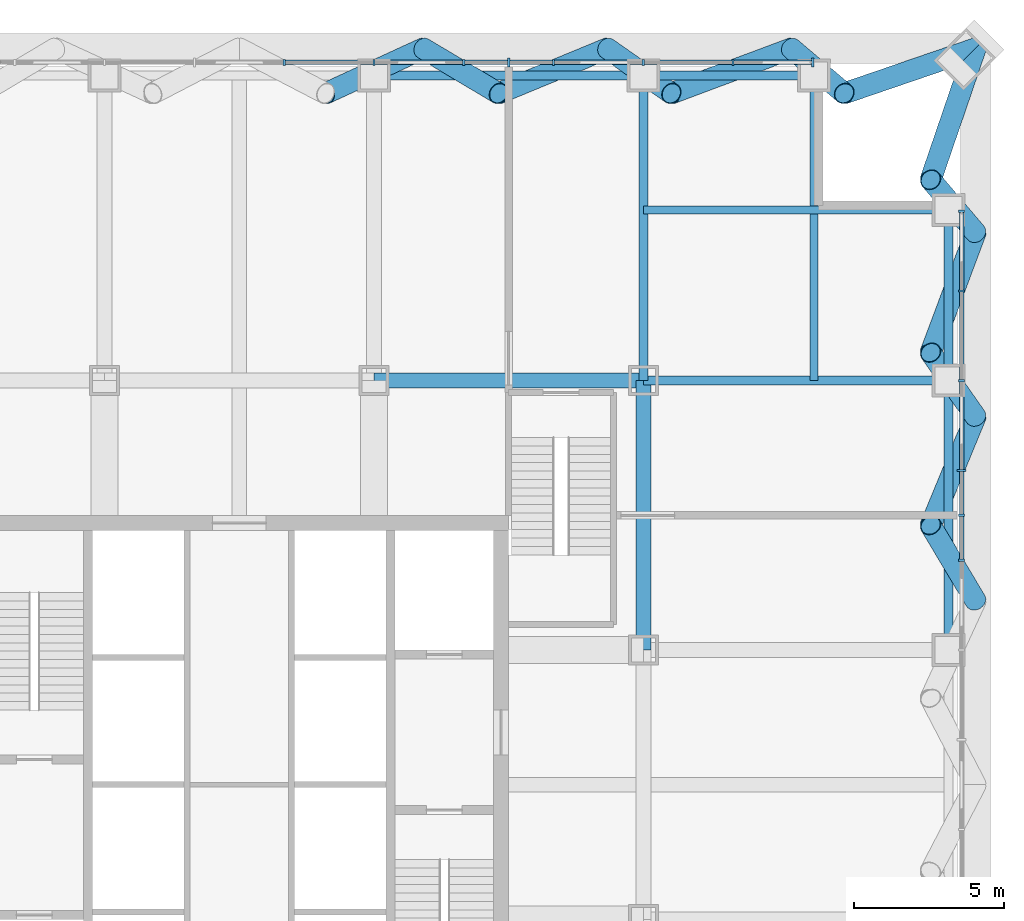
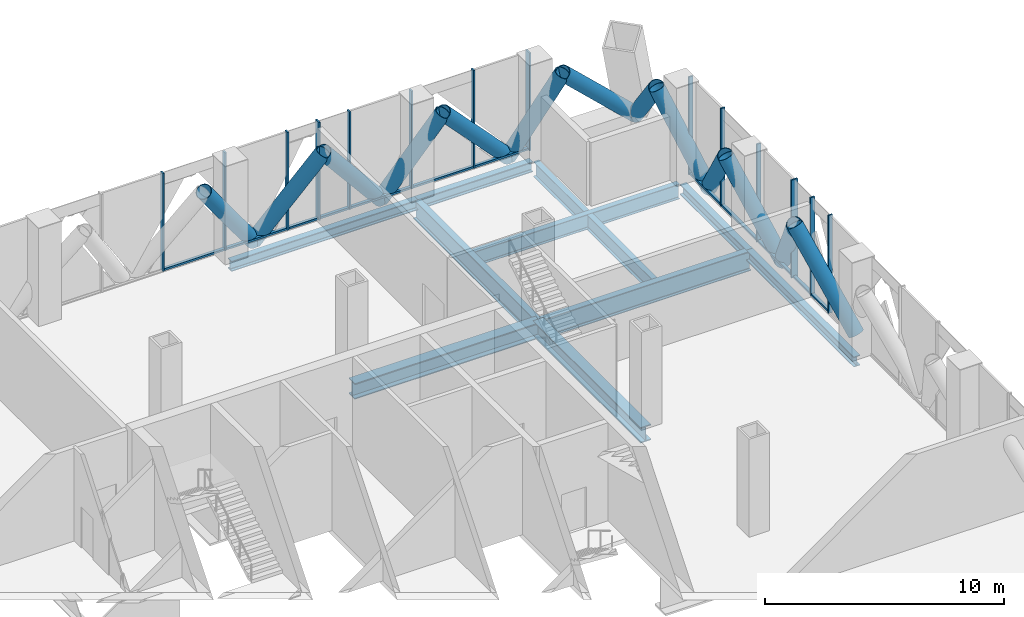
# One storey, part 12 of 29: 39 members, 10 beams, 2 elements without a shape of their own.
"""IFC4 building model written with IfcOpenShell, lengths in metres."""

from ifc_helpers import new_model, si_unit, direction, frame, origin, origin_2d, place, context, subcontext, project, spatial, rectangle, hollow_circle, i_section, extrude, material, layer, layer_set, material_profile, profile_set, type_object, element, aggregate, save


model = new_model("IFC4")

# Units and contexts
model_context = context("Model", 3, precision=1e-05, world=origin(), true_north=direction((0.0, 1.0)))
body_context = subcontext(model_context, "Body", "Model", "MODEL_VIEW")
ifc_project = project(units=[si_unit("LENGTHUNIT", "METRE"), si_unit("AREAUNIT", "SQUARE_METRE"), si_unit("VOLUMEUNIT", "CUBIC_METRE"), si_unit("PLANEANGLEUNIT", "RADIAN"), si_unit("MASSUNIT", "GRAM", prefix="KILO")], contexts=[model_context])

# Site, building, storey
site_placement = place(None, origin())
site = spatial("IfcSite", under=ifc_project, at=site_placement, CompositionType="ELEMENT")
building_placement = place(site_placement, origin())
building = spatial("IfcBuilding", under=site, at=building_placement, Name="Malebo Sky Hospital", CompositionType="ELEMENT")
storey_placement = place(building_placement, frame((0.0, 0.0, 172.0)))
storey = spatial("IfcBuildingStorey", under=building, at=storey_placement, Name="L41", CompositionType="ELEMENT", Elevation=172.0)

# Curtain wall, members
ifc_material_1 = material(Name="Anodised aluminium, natural silver", Category="aluminium")
ifc_layer = layer(ifc_material_1, 0.25)
ifc_layer_set = layer_set([ifc_layer], Name="PLANT LOUVRE SCREEN")
curtain_wall_type = type_object("IfcCurtainWallType", Name="PLANT LOUVRE SCREEN", PredefinedType="NOTDEFINED", material=ifc_layer_set)
curtain_wall_1_placement = place(storey_placement, origin())
curtain_wall_1 = element("IfcCurtainWall", 1, at=curtain_wall_1_placement, inside=storey, type_object=curtain_wall_type, Name="PLANT curtain wall N", PredefinedType="NOTDEFINED")
ifc_material_profile_1 = material_profile(ifc_material_1, rectangle(XDim=0.14990234375, YDim=0.10009765625, at=origin_2d()), Name="ALUMINIUM TRANSOM 150x100")
ifc_profile_set_1 = profile_set([ifc_material_profile_1], Name="Anodised aluminium, natural silver")
member_type_1 = type_object("IfcMemberType", Name="ALUMINIUM TRANSOM 150x100", PredefinedType="USERDEFINED", material=ifc_profile_set_1)
member_1_placement = place(storey_placement, frame((61.53759765625, 86.135009765625, 0.050048828125), z_axis=(1.0, 0.0, 0.0), x_axis=(0.0, 1.0, 0.0)))
member_1 = element("IfcMember", 2, at=member_1_placement, type_object=member_type_1, Name="Transom 9", ObjectType="TRANSOM", PredefinedType="USERDEFINED", context=body_context, shape_type="SweptSolid", body=[
    extrude(rectangle(XDim=0.14990234375, YDim=0.10009765625, at=origin_2d()), origin(), (0.0, 0.0, 1.0), 2.9248046875),
])
member_2_placement = place(storey_placement, frame((64.53759765625, 86.135009765625, 0.050048828125), z_axis=(1.0, 0.0, 0.0), x_axis=(0.0, 1.0, 0.0)))
member_2 = element("IfcMember", 3, at=member_2_placement, type_object=member_type_1, Name="Transom 10", ObjectType="TRANSOM", PredefinedType="USERDEFINED", context=body_context, shape_type="SweptSolid", body=[
    extrude(rectangle(XDim=0.14990234375, YDim=0.10009765625, at=origin_2d()), origin(), (0.0, 0.0, 1.0), 2.9248046875),
])
member_3_placement = place(storey_placement, frame((67.53759765625, 86.135009765625, 0.050048828125), z_axis=(1.0, 0.0, 0.0), x_axis=(0.0, 1.0, 0.0)))
member_3 = element("IfcMember", 4, at=member_3_placement, type_object=member_type_1, Name="Transom 11", ObjectType="TRANSOM", PredefinedType="USERDEFINED", context=body_context, shape_type="SweptSolid", body=[
    extrude(rectangle(XDim=0.14990234375, YDim=0.10009765625, at=origin_2d()), origin(), (0.0, 0.0, 1.0), 1.4248046875),
])
member_4_placement = place(storey_placement, frame((69.03759765625, 86.135009765625, 0.050048828125), z_axis=(1.0, 0.0, 0.0), x_axis=(0.0, 1.0, 0.0)))
member_4 = element("IfcMember", 5, at=member_4_placement, type_object=member_type_1, Name="Transom 12", ObjectType="TRANSOM", PredefinedType="USERDEFINED", context=body_context, shape_type="SweptSolid", body=[
    extrude(rectangle(XDim=0.14990234375, YDim=0.10009765625, at=origin_2d()), origin(), (0.0, 0.0, 1.0), 1.4248046875),
])
member_5_placement = place(storey_placement, frame((70.53759765625, 86.135009765625, 0.050048828125), z_axis=(1.0, 0.0, 0.0), x_axis=(0.0, 1.0, 0.0)))
member_5 = element("IfcMember", 6, at=member_5_placement, type_object=member_type_1, Name="Transom 13", ObjectType="TRANSOM", PredefinedType="USERDEFINED", context=body_context, shape_type="SweptSolid", body=[
    extrude(rectangle(XDim=0.14990234375, YDim=0.10009765625, at=origin_2d()), origin(), (0.0, 0.0, 1.0), 2.9248046875),
])
member_6_placement = place(storey_placement, frame((73.53759765625, 86.135009765625, 0.050048828125), z_axis=(1.0, 0.0, 0.0), x_axis=(0.0, 1.0, 0.0)))
member_6 = element("IfcMember", 7, at=member_6_placement, type_object=member_type_1, Name="Transom 14", ObjectType="TRANSOM", PredefinedType="USERDEFINED", context=body_context, shape_type="SweptSolid", body=[
    extrude(rectangle(XDim=0.14990234375, YDim=0.10009765625, at=origin_2d()), origin(), (0.0, 0.0, 1.0), 2.9248046875),
])
member_7_placement = place(storey_placement, frame((76.53759765625, 86.135009765625, 0.050048828125), z_axis=(1.0, 0.0, 0.0), x_axis=(0.0, 1.0, 0.0)))
member_7 = element("IfcMember", 8, at=member_7_placement, type_object=member_type_1, Name="Transom 15", ObjectType="TRANSOM", PredefinedType="USERDEFINED", context=body_context, shape_type="SweptSolid", body=[
    extrude(rectangle(XDim=0.14990234375, YDim=0.10009765625, at=origin_2d()), origin(), (0.0, 0.0, 1.0), 2.58740234375),
])

curtain_wall_2_placement = place(storey_placement, origin())
curtain_wall_2 = element("IfcCurtainWall", 9, at=curtain_wall_2_placement, inside=storey, type_object=curtain_wall_type, Name="PLANT curtain wall E", PredefinedType="NOTDEFINED")
member_8_placement = place(storey_placement, frame((84.135009765625, 81.125, 0.050048828125), z_axis=(0.0, -1.0, 0.0), x_axis=(1.0, 0.0, 0.0)))
member_8 = element("IfcMember", 10, at=member_8_placement, type_object=member_type_1, Name="Transom 1", ObjectType="TRANSOM", PredefinedType="USERDEFINED", context=body_context, shape_type="SweptSolid", body=[
    extrude(rectangle(XDim=0.14990234375, YDim=0.10009765625, at=origin_2d()), origin(), (0.0, 0.0, 1.0), 2.58740234375),
])
member_9_placement = place(storey_placement, frame((84.135009765625, 78.46240234375, 0.050048828125), z_axis=(0.0, -1.0, 0.0), x_axis=(1.0, 0.0, 0.0)))
member_9 = element("IfcMember", 11, at=member_9_placement, type_object=member_type_1, Name="Transom 2", ObjectType="TRANSOM", PredefinedType="USERDEFINED", context=body_context, shape_type="SweptSolid", body=[
    extrude(rectangle(XDim=0.14990234375, YDim=0.10009765625, at=origin_2d()), origin(), (0.0, 0.0, 1.0), 2.9248046875),
])
member_10_placement = place(storey_placement, frame((84.135009765625, 75.46240234375, 0.050048828125), z_axis=(0.0, -1.0, 0.0), x_axis=(1.0, 0.0, 0.0)))
member_10 = element("IfcMember", 12, at=member_10_placement, type_object=member_type_1, Name="Transom 3", ObjectType="TRANSOM", PredefinedType="USERDEFINED", context=body_context, shape_type="SweptSolid", body=[
    extrude(rectangle(XDim=0.14990234375, YDim=0.10009765625, at=origin_2d()), origin(), (0.0, 0.0, 1.0), 2.9248046875),
])
member_11_placement = place(storey_placement, frame((84.135009765625, 72.46240234375, 0.050048828125), z_axis=(0.0, -1.0, 0.0), x_axis=(1.0, 0.0, 0.0)))
member_11 = element("IfcMember", 13, at=member_11_placement, type_object=member_type_1, Name="Transom 4", ObjectType="TRANSOM", PredefinedType="USERDEFINED", context=body_context, shape_type="SweptSolid", body=[
    extrude(rectangle(XDim=0.14990234375, YDim=0.10009765625, at=origin_2d()), origin(), (0.0, 0.0, 1.0), 1.4248046875),
])
member_12_placement = place(storey_placement, frame((84.135009765625, 70.96240234375, 0.050048828125), z_axis=(0.0, -1.0, 0.0), x_axis=(1.0, 0.0, 0.0)))
member_12 = element("IfcMember", 14, at=member_12_placement, type_object=member_type_1, Name="Transom 5", ObjectType="TRANSOM", PredefinedType="USERDEFINED", context=body_context, shape_type="SweptSolid", body=[
    extrude(rectangle(XDim=0.14990234375, YDim=0.10009765625, at=origin_2d()), origin(), (0.0, 0.0, 1.0), 1.4248046875),
])

# Members
ifc_material_2 = material(Name="Steel S460", Category="steel")
ifc_material_profile_2 = material_profile(ifc_material_2, hollow_circle(Radius=0.35546875, WallThickness=0.02490234375, at=origin_2d()), Name="CHS 711x25")
ifc_profile_set_2 = profile_set([ifc_material_profile_2], Name="Steel S460")
member_type_2 = type_object("IfcMemberType", Name="BELT TRUSS DIAGONAL CHS 711x25", PredefinedType="BRACE", material=ifc_profile_set_2)
member_13_placement = place(storey_placement, frame((84.60009765625, 86.60009765625, -0.39990234375), z_axis=(-0.675409080109, -0.230898808602, 0.700362987809), x_axis=(0.323484250944, -0.946233554357, 0.0)))
element("IfcMember", 15, at=member_13_placement, inside=storey, type_object=member_type_2, Name="Belt truss diagonal N1.1 L41", PredefinedType="BRACE", context=body_context, shape_type="SweptSolid", body=[
    extrude(hollow_circle(Radius=0.35546875, WallThickness=0.02490234375, at=origin_2d()), origin(), (0.0, 0.0, 1.0), 6.496337890625),
])
member_14_placement = place(storey_placement, frame((80.21240234375, 85.10009765625, 4.14990234375), z_axis=(-0.345267139836, 0.29385251519, -0.891314367362), x_axis=(-0.648129042738, -0.761530527267, 0.0)))
element("IfcMember", 16, at=member_14_placement, inside=storey, type_object=member_type_2, Name="Belt truss diagonal N1.2 L41", PredefinedType="BRACE", context=body_context, shape_type="SweptSolid", body=[
    extrude(hollow_circle(Radius=0.35546875, WallThickness=0.02490234375, at=origin_2d()), origin(), (0.0, 0.0, 1.0), 5.1044921875),
])
member_15_placement = place(storey_placement, frame((78.449951171875, 86.60009765625, -0.39990234375), z_axis=(-0.642090926271, -0.240036912139, 0.728080712017), x_axis=(0.350167642828, -0.936687045878, 0.0)))
element("IfcMember", 17, at=member_15_placement, inside=storey, type_object=member_type_2, Name="Belt truss diagonal N2.1 L41", PredefinedType="BRACE", context=body_context, shape_type="SweptSolid", body=[
    extrude(hollow_circle(Radius=0.35546875, WallThickness=0.02490234375, at=origin_2d()), origin(), (0.0, 0.0, 1.0), 6.2490234375),
])
member_16_placement = place(storey_placement, frame((74.4375, 85.10009765625, 4.14990234375), z_axis=(-0.407452101972, 0.285937831469, -0.867307523969), x_axis=(-0.574434541353, -0.818550522387, 0.0)))
element("IfcMember", 18, at=member_16_placement, inside=storey, type_object=member_type_2, Name="Belt truss diagonal N2.2 L41", PredefinedType="BRACE", context=body_context, shape_type="SweptSolid", body=[
    extrude(hollow_circle(Radius=0.35546875, WallThickness=0.02490234375, at=origin_2d()), origin(), (0.0, 0.0, 1.0), 5.245849609375),
])
member_17_placement = place(storey_placement, frame((72.300048828125, 86.60009765625, -0.39990234375), z_axis=(-0.604717094337, -0.249371221398, 0.756393568029), x_axis=(0.381233483965, -0.924478788672, 0.0)))
element("IfcMember", 19, at=member_17_placement, inside=storey, type_object=member_type_2, Name="Belt truss diagonal N3.1 L41", PredefinedType="BRACE", context=body_context, shape_type="SweptSolid", body=[
    extrude(hollow_circle(Radius=0.35546875, WallThickness=0.02490234375, at=origin_2d()), origin(), (0.0, 0.0, 1.0), 6.01513671875),
])
member_18_placement = place(storey_placement, frame((68.66259765625, 85.10009765625, 4.14990234375), z_axis=(-0.464483521417, 0.277282039991, -0.841052750207), x_axis=(-0.512580541453, -0.858639149191, 0.0)))
element("IfcMember", 20, at=member_18_placement, inside=storey, type_object=member_type_2, Name="Belt truss diagonal N3.2 L41", PredefinedType="BRACE", context=body_context, shape_type="SweptSolid", body=[
    extrude(hollow_circle(Radius=0.35546875, WallThickness=0.02490234375, at=origin_2d()), origin(), (0.0, 0.0, 1.0), 5.40966796875),
])
member_19_placement = place(storey_placement, frame((66.14990234375, 86.60009765625, -0.39990234375), z_axis=(-0.562873957341, -0.258796497336, 0.78498234446), x_axis=(0.417738372703, -0.908567362374, 0.0)))
element("IfcMember", 21, at=member_19_placement, inside=storey, type_object=member_type_2, Name="Belt truss diagonal N4.1 L41", PredefinedType="BRACE", context=body_context, shape_type="SweptSolid", body=[
    extrude(hollow_circle(Radius=0.35546875, WallThickness=0.02490234375, at=origin_2d()), origin(), (0.0, 0.0, 1.0), 5.796142578125),
])
member_20_placement = place(storey_placement, frame((84.60009765625, 68.14990234375, -0.39990234375), z_axis=(-0.277282039991, 0.464483521417, 0.841052750207), x_axis=(-0.858639149191, -0.512580541453, 0.0)))
element("IfcMember", 22, at=member_20_placement, inside=storey, type_object=member_type_2, Name="Belt truss diagonal E6.1 L41", PredefinedType="BRACE", context=body_context, shape_type="SweptSolid", body=[
    extrude(hollow_circle(Radius=0.35546875, WallThickness=0.02490234375, at=origin_2d()), origin(), (0.0, 0.0, 1.0), 5.40966796875),
])
member_21_placement = place(storey_placement, frame((83.10009765625, 70.66259765625, 4.14990234375), z_axis=(0.249371221398, 0.604717094337, -0.756393568029), x_axis=(-0.924478788672, 0.381233483965, 0.0)))
element("IfcMember", 23, at=member_21_placement, inside=storey, type_object=member_type_2, Name="Belt truss diagonal E6.2 L41", PredefinedType="BRACE", context=body_context, shape_type="SweptSolid", body=[
    extrude(hollow_circle(Radius=0.35546875, WallThickness=0.02490234375, at=origin_2d()), origin(), (0.0, 0.0, 1.0), 6.01513671875),
])
member_22_placement = place(storey_placement, frame((84.60009765625, 74.300048828125, -0.39990234375), z_axis=(-0.285937831469, 0.407452101972, 0.867307523969), x_axis=(-0.818550522387, -0.574434541353, 0.0)))
element("IfcMember", 24, at=member_22_placement, inside=storey, type_object=member_type_2, Name="Belt truss diagonal E7.1 L41", PredefinedType="BRACE", context=body_context, shape_type="SweptSolid", body=[
    extrude(hollow_circle(Radius=0.35546875, WallThickness=0.02490234375, at=origin_2d()), origin(), (0.0, 0.0, 1.0), 5.245849609375),
])
member_23_placement = place(storey_placement, frame((83.10009765625, 76.4375, 4.14990234375), z_axis=(0.240036912139, 0.642090926271, -0.728080712017), x_axis=(-0.936687045878, 0.350167642828, 0.0)))
element("IfcMember", 25, at=member_23_placement, inside=storey, type_object=member_type_2, Name="Belt truss diagonal E7.2 L41", PredefinedType="BRACE", context=body_context, shape_type="SweptSolid", body=[
    extrude(hollow_circle(Radius=0.35546875, WallThickness=0.02490234375, at=origin_2d()), origin(), (0.0, 0.0, 1.0), 6.2490234375),
])
member_24_placement = place(storey_placement, frame((84.60009765625, 80.449951171875, -0.39990234375), z_axis=(-0.29385251519, 0.345267139836, 0.891314367362), x_axis=(-0.761530527267, -0.648129042738, 0.0)))
element("IfcMember", 26, at=member_24_placement, inside=storey, type_object=member_type_2, Name="Belt truss diagonal E8.1 L41", PredefinedType="BRACE", context=body_context, shape_type="SweptSolid", body=[
    extrude(hollow_circle(Radius=0.35546875, WallThickness=0.02490234375, at=origin_2d()), origin(), (0.0, 0.0, 1.0), 5.1044921875),
])
member_25_placement = place(storey_placement, frame((83.10009765625, 82.21240234375, 4.14990234375), z_axis=(0.230898808602, 0.675409080109, -0.700362987809), x_axis=(-0.946233554357, 0.323484250944, 0.0)))
element("IfcMember", 27, at=member_25_placement, inside=storey, type_object=member_type_2, Name="Belt truss diagonal E8.2 L41", PredefinedType="BRACE", context=body_context, shape_type="SweptSolid", body=[
    extrude(hollow_circle(Radius=0.35546875, WallThickness=0.02490234375, at=origin_2d()), origin(), (0.0, 0.0, 1.0), 6.496337890625),
])

# Member
ifc_material_profile_3 = material_profile(ifc_material_1, rectangle(XDim=0.074951171875, YDim=0.199951171875, at=origin_2d()), Name="CW5 ALUMINIUM FIN MULLION 75x200")
ifc_profile_set_3 = profile_set([ifc_material_profile_3], Name="Anodised aluminium, natural silver")
member_type_3 = type_object("IfcMemberType", Name="CW5 ALUMINIUM FIN MULLION 75x200", PredefinedType="MULLION", material=ifc_profile_set_3)
member_26_placement = place(storey_placement, frame((61.5, 86.135009765625, 0.0), z_axis=(0.0, 0.0, 1.0), x_axis=(1.0, 0.0, 0.0)))
member_26 = element("IfcMember", 28, at=member_26_placement, type_object=member_type_3, Name="Fin mullion 9", PredefinedType="MULLION", context=body_context, shape_type="SweptSolid", body=[
    extrude(rectangle(XDim=0.074951171875, YDim=0.199951171875, at=origin_2d()), origin(), (0.0, 0.0, 1.0), 5.0),
])

member_27_placement = place(storey_placement, frame((64.5, 86.135009765625, 0.0), z_axis=(0.0, 0.0, 1.0), x_axis=(1.0, 0.0, 0.0)))
member_27 = element("IfcMember", 29, at=member_27_placement, type_object=member_type_3, Name="Fin mullion 10", PredefinedType="MULLION", context=body_context, shape_type="SweptSolid", body=[
    extrude(rectangle(XDim=0.074951171875, YDim=0.199951171875, at=origin_2d()), origin(), (0.0, 0.0, 1.0), 5.0),
])

member_28_placement = place(storey_placement, frame((67.5, 86.135009765625, 0.0), z_axis=(0.0, 0.0, 1.0), x_axis=(1.0, 0.0, 0.0)))
member_28 = element("IfcMember", 30, at=member_28_placement, type_object=member_type_3, Name="Fin mullion 11", PredefinedType="MULLION", context=body_context, shape_type="SweptSolid", body=[
    extrude(rectangle(XDim=0.074951171875, YDim=0.199951171875, at=origin_2d()), origin(), (0.0, 0.0, 1.0), 5.0),
])

member_29_placement = place(storey_placement, frame((70.5, 86.135009765625, 0.0), z_axis=(0.0, 0.0, 1.0), x_axis=(1.0, 0.0, 0.0)))
member_29 = element("IfcMember", 31, at=member_29_placement, type_object=member_type_3, Name="Fin mullion 13", PredefinedType="MULLION", context=body_context, shape_type="SweptSolid", body=[
    extrude(rectangle(XDim=0.074951171875, YDim=0.199951171875, at=origin_2d()), origin(), (0.0, 0.0, 1.0), 5.0),
])

member_30_placement = place(storey_placement, frame((73.5, 86.135009765625, 0.0), z_axis=(0.0, 0.0, 1.0), x_axis=(1.0, 0.0, 0.0)))
member_30 = element("IfcMember", 32, at=member_30_placement, type_object=member_type_3, Name="Fin mullion 14", PredefinedType="MULLION", context=body_context, shape_type="SweptSolid", body=[
    extrude(rectangle(XDim=0.074951171875, YDim=0.199951171875, at=origin_2d()), origin(), (0.0, 0.0, 1.0), 5.0),
])

member_31_placement = place(storey_placement, frame((76.5, 86.135009765625, 0.0), z_axis=(0.0, 0.0, 1.0), x_axis=(1.0, 0.0, 0.0)))
member_31 = element("IfcMember", 33, at=member_31_placement, type_object=member_type_3, Name="Fin mullion 15", PredefinedType="MULLION", context=body_context, shape_type="SweptSolid", body=[
    extrude(rectangle(XDim=0.074951171875, YDim=0.199951171875, at=origin_2d()), origin(), (0.0, 0.0, 1.0), 5.0),
])

member_32_placement = place(storey_placement, frame((84.135009765625, 81.16259765625, 0.0), z_axis=(0.0, 0.0, 1.0), x_axis=(0.0, -1.0, 0.0)))
member_32 = element("IfcMember", 34, at=member_32_placement, type_object=member_type_3, Name="Fin mullion 1", PredefinedType="MULLION", context=body_context, shape_type="SweptSolid", body=[
    extrude(rectangle(XDim=0.074951171875, YDim=0.199951171875, at=origin_2d()), origin(), (0.0, 0.0, 1.0), 5.0),
])

member_33_placement = place(storey_placement, frame((84.135009765625, 78.5, 0.0), z_axis=(0.0, 0.0, 1.0), x_axis=(0.0, -1.0, 0.0)))
member_33 = element("IfcMember", 35, at=member_33_placement, type_object=member_type_3, Name="Fin mullion 2", PredefinedType="MULLION", context=body_context, shape_type="SweptSolid", body=[
    extrude(rectangle(XDim=0.074951171875, YDim=0.199951171875, at=origin_2d()), origin(), (0.0, 0.0, 1.0), 5.0),
])

member_34_placement = place(storey_placement, frame((84.135009765625, 75.5, 0.0), z_axis=(0.0, 0.0, 1.0), x_axis=(0.0, -1.0, 0.0)))
member_34 = element("IfcMember", 36, at=member_34_placement, type_object=member_type_3, Name="Fin mullion 3", PredefinedType="MULLION", context=body_context, shape_type="SweptSolid", body=[
    extrude(rectangle(XDim=0.074951171875, YDim=0.199951171875, at=origin_2d()), origin(), (0.0, 0.0, 1.0), 5.0),
])

member_35_placement = place(storey_placement, frame((84.135009765625, 71.0, 0.0), z_axis=(0.0, 0.0, 1.0), x_axis=(0.0, -1.0, 0.0)))
member_35 = element("IfcMember", 37, at=member_35_placement, type_object=member_type_3, Name="Fin mullion 5", PredefinedType="MULLION", context=body_context, shape_type="SweptSolid", body=[
    extrude(rectangle(XDim=0.074951171875, YDim=0.199951171875, at=origin_2d()), origin(), (0.0, 0.0, 1.0), 5.0),
])

member_36_placement = place(storey_placement, frame((84.135009765625, 69.5, 0.0), z_axis=(0.0, 0.0, 1.0), x_axis=(0.0, -1.0, 0.0)))
member_36 = element("IfcMember", 38, at=member_36_placement, type_object=member_type_3, Name="Fin mullion 6", PredefinedType="MULLION", context=body_context, shape_type="SweptSolid", body=[
    extrude(rectangle(XDim=0.074951171875, YDim=0.199951171875, at=origin_2d()), origin(), (0.0, 0.0, 1.0), 5.0),
])

ifc_material_profile_4 = material_profile(ifc_material_1, rectangle(XDim=0.074951171875, YDim=0.300048828125, at=origin_2d()), Name="CW5 ALUMINIUM FIN MULLION 75x300")
ifc_profile_set_4 = profile_set([ifc_material_profile_4], Name="Anodised aluminium, natural silver")
member_type_4 = type_object("IfcMemberType", Name="CW5 ALUMINIUM FIN MULLION 75x300", PredefinedType="MULLION", material=ifc_profile_set_4)
member_37_placement = place(storey_placement, frame((69.0, 86.135009765625, 0.0), z_axis=(0.0, 0.0, 1.0), x_axis=(1.0, 0.0, 0.0)))
member_37 = element("IfcMember", 39, at=member_37_placement, type_object=member_type_4, Name="Fin mullion 12", PredefinedType="MULLION", context=body_context, shape_type="SweptSolid", body=[
    extrude(rectangle(XDim=0.074951171875, YDim=0.300048828125, at=origin_2d()), origin(), (0.0, 0.0, 1.0), 5.0),
])

member_38_placement = place(storey_placement, frame((79.16259765625, 86.135009765625, 0.0), z_axis=(0.0, 0.0, 1.0), x_axis=(1.0, 0.0, 0.0)))
member_38 = element("IfcMember", 40, at=member_38_placement, type_object=member_type_4, Name="Fin mullion 16", PredefinedType="MULLION", context=body_context, shape_type="SweptSolid", body=[
    extrude(rectangle(XDim=0.074951171875, YDim=0.300048828125, at=origin_2d()), origin(), (0.0, 0.0, 1.0), 5.0),
])

aggregate(curtain_wall_1, [member_26, member_27, member_28, member_37, member_29, member_30, member_31, member_38, member_1, member_2, member_3, member_4, member_5, member_6, member_7])

member_39_placement = place(storey_placement, frame((84.135009765625, 72.5, 0.0), z_axis=(0.0, 0.0, 1.0), x_axis=(0.0, -1.0, 0.0)))
member_39 = element("IfcMember", 41, at=member_39_placement, type_object=member_type_4, Name="Fin mullion 4", PredefinedType="MULLION", context=body_context, shape_type="SweptSolid", body=[
    extrude(rectangle(XDim=0.074951171875, YDim=0.300048828125, at=origin_2d()), origin(), (0.0, 0.0, 1.0), 5.0),
])

aggregate(curtain_wall_2, [member_32, member_33, member_34, member_39, member_35, member_36, member_8, member_9, member_10, member_11, member_12])

# Beams
ifc_material_3 = material(Name="Steel S355", Category="steel")
ifc_material_profile_5 = material_profile(ifc_material_3, i_section(OverallWidth=0.305908203125, OverallDepth=0.52392578125, WebThickness=0.02099609375, FlangeThickness=0.0400390625, FilletRadius=0.027099609375, at=origin_2d()), Name="HEM 500")
ifc_profile_set_5 = profile_set([ifc_material_profile_5], Name="Steel S355")
beam_type_1 = type_object("IfcBeamType", Name="EDGE BEAM HEM 500", PredefinedType="BEAM", material=ifc_profile_set_5)
beam_1_placement = place(storey_placement, frame((83.699951171875, 66.5, -0.511962890625), z_axis=(0.0, 1.0, 0.0), x_axis=(-1.0, 0.0, 0.0)))
element("IfcBeam", 42, at=beam_1_placement, inside=storey, type_object=beam_type_1, Name="Beam 032 L41", PredefinedType="BEAM", context=body_context, shape_type="SweptSolid", body=[
    extrude(i_section(OverallWidth=0.305908203125, OverallDepth=0.52392578125, WebThickness=0.02099609375, FlangeThickness=0.0400390625, FilletRadius=0.027099609375, at=origin_2d()), origin(), (0.0, 0.0, 1.0), 9.0),
])
beam_2_placement = place(storey_placement, frame((83.699951171875, 75.5, -0.511962890625), z_axis=(0.0, 1.0, 0.0), x_axis=(-1.0, 0.0, 0.0)))
element("IfcBeam", 43, at=beam_2_placement, inside=storey, type_object=beam_type_1, Name="Beam 033 L41", PredefinedType="BEAM", context=body_context, shape_type="SweptSolid", body=[
    extrude(i_section(OverallWidth=0.305908203125, OverallDepth=0.52392578125, WebThickness=0.02099609375, FlangeThickness=0.0400390625, FilletRadius=0.027099609375, at=origin_2d()), origin(), (0.0, 0.0, 1.0), 5.550048828125),
])
beam_3_placement = place(storey_placement, frame((64.5, 85.699951171875, -0.511962890625), z_axis=(1.0, 0.0, 0.0), x_axis=(0.0, 1.0, 0.0)))
element("IfcBeam", 44, at=beam_3_placement, inside=storey, type_object=beam_type_1, Name="Beam 066 L41", PredefinedType="BEAM", context=body_context, shape_type="SweptSolid", body=[
    extrude(i_section(OverallWidth=0.305908203125, OverallDepth=0.52392578125, WebThickness=0.02099609375, FlangeThickness=0.0400390625, FilletRadius=0.027099609375, at=origin_2d()), origin(), (0.0, 0.0, 1.0), 9.0),
])
beam_4_placement = place(storey_placement, frame((73.5, 85.699951171875, -0.511962890625), z_axis=(1.0, 0.0, 0.0), x_axis=(0.0, 1.0, 0.0)))
element("IfcBeam", 45, at=beam_4_placement, inside=storey, type_object=beam_type_1, Name="Beam 067 L41", PredefinedType="BEAM", context=body_context, shape_type="SweptSolid", body=[
    extrude(i_section(OverallWidth=0.305908203125, OverallDepth=0.52392578125, WebThickness=0.02099609375, FlangeThickness=0.0400390625, FilletRadius=0.027099609375, at=origin_2d()), origin(), (0.0, 0.0, 1.0), 5.550048828125),
])
ifc_material_profile_6 = material_profile(ifc_material_3, i_section(OverallWidth=0.26708984375, OverallDepth=0.761962890625, WebThickness=0.014404296875, FlangeThickness=0.021484375, FilletRadius=0.01708984375, at=origin_2d()), Name="IPE 750x173")
ifc_profile_set_6 = profile_set([ifc_material_profile_6], Name="Steel S355")
beam_type_2 = type_object("IfcBeamType", Name="FLOOR BEAM IPE 750x173", PredefinedType="BEAM", material=ifc_profile_set_6)
for number, where, z_axis, x_axis, name in (
    (46, (79.199951171875, 75.5, -0.631103515625), (0.0, 1.0, 0.0), (-1.0, 0.0, 0.0), "Beam 028 L41"),
    (47, (73.5, 81.199951171875, -0.631103515625), (1.0, 0.0, 0.0), (0.0, 1.0, 0.0), "Beam 062 L41"),
):
    element("IfcBeam", number, at=place(storey_placement, frame(where, z_axis=z_axis, x_axis=x_axis)), inside=storey, type_object=beam_type_2, Name=name, PredefinedType="BEAM", context=body_context, shape_type="SweptSolid", body=[
        extrude(i_section(OverallWidth=0.26708984375, OverallDepth=0.761962890625, WebThickness=0.014404296875, FlangeThickness=0.021484375, FilletRadius=0.01708984375, at=origin_2d()), origin(), (0.0, 0.0, 1.0), 10.050048828125),
    ])
ifc_material_profile_7 = material_profile(ifc_material_3, i_section(OverallWidth=0.5, OverallDepth=0.800048828125, WebThickness=0.030029296875, FlangeThickness=0.050048828125, at=origin_2d()), Name="PG 800x500x30x50")
ifc_profile_set_7 = profile_set([ifc_material_profile_7], Name="Steel S355")
beam_type_3 = type_object("IfcBeamType", Name="FLOOR BEAM PG 800x500x30x50", PredefinedType="BEAM", material=ifc_profile_set_7)
for number, where, z_axis, x_axis, name in (
    (48, (73.5, 66.5, -0.64990234375), (0.0, 1.0, 0.0), (-1.0, 0.0, 0.0), "Beam 025 L41"),
    (49, (64.5, 75.5, -0.64990234375), (1.0, 0.0, 0.0), (0.0, 1.0, 0.0), "Beam 059 L41"),
):
    element("IfcBeam", number, at=place(storey_placement, frame(where, z_axis=z_axis, x_axis=x_axis)), inside=storey, type_object=beam_type_3, Name=name, PredefinedType="BEAM", context=body_context, shape_type="SweptSolid", body=[
        extrude(i_section(OverallWidth=0.5, OverallDepth=0.800048828125, WebThickness=0.030029296875, FlangeThickness=0.050048828125, at=origin_2d()), origin(), (0.0, 0.0, 1.0), 9.0),
    ])
ifc_material_profile_8 = material_profile(ifc_material_3, i_section(OverallWidth=0.300048828125, OverallDepth=1.0, WebThickness=0.01904296875, FlangeThickness=0.035888671875, FilletRadius=0.030029296875, at=origin_2d()), Name="HEB 1000")
ifc_profile_set_8 = profile_set([ifc_material_profile_8], Name="Steel S355")
beam_type_4 = type_object("IfcBeamType", Name="FLOOR GIRDER HEB 1000", PredefinedType="BEAM", material=ifc_profile_set_8)
for number, where, z_axis, x_axis, name in (
    (50, (73.5, 75.5, -0.75), (0.0, 1.0, 0.0), (-1.0, 0.0, 0.0), "Beam 026 L41"),
    (51, (73.5, 75.5, -0.75), (1.0, 0.0, 0.0), (0.0, 1.0, 0.0), "Beam 060 L41"),
):
    element("IfcBeam", number, at=place(storey_placement, frame(where, z_axis=z_axis, x_axis=x_axis)), inside=storey, type_object=beam_type_4, Name=name, PredefinedType="BEAM", context=body_context, shape_type="SweptSolid", body=[
        extrude(i_section(OverallWidth=0.300048828125, OverallDepth=1.0, WebThickness=0.01904296875, FlangeThickness=0.035888671875, FilletRadius=0.030029296875, at=origin_2d()), origin(), (0.0, 0.0, 1.0), 10.199951171875),
    ])

save(model, "model.ifc")
